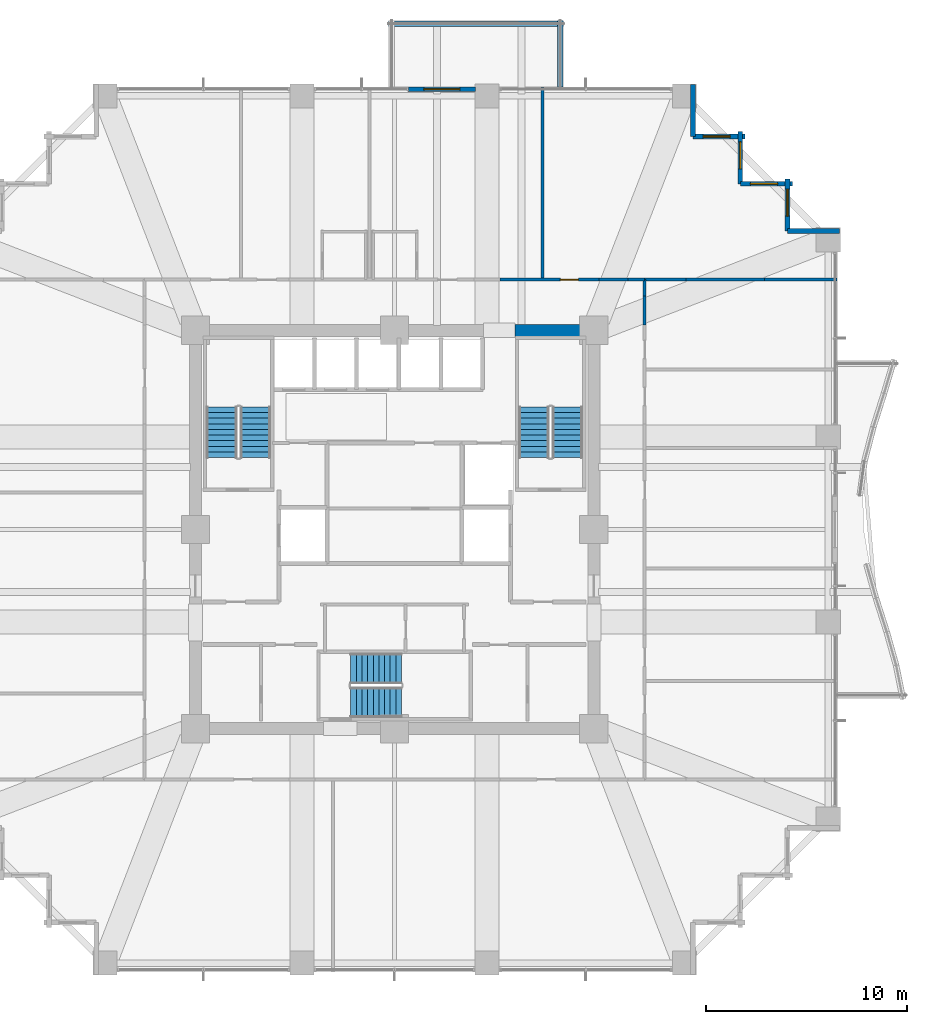
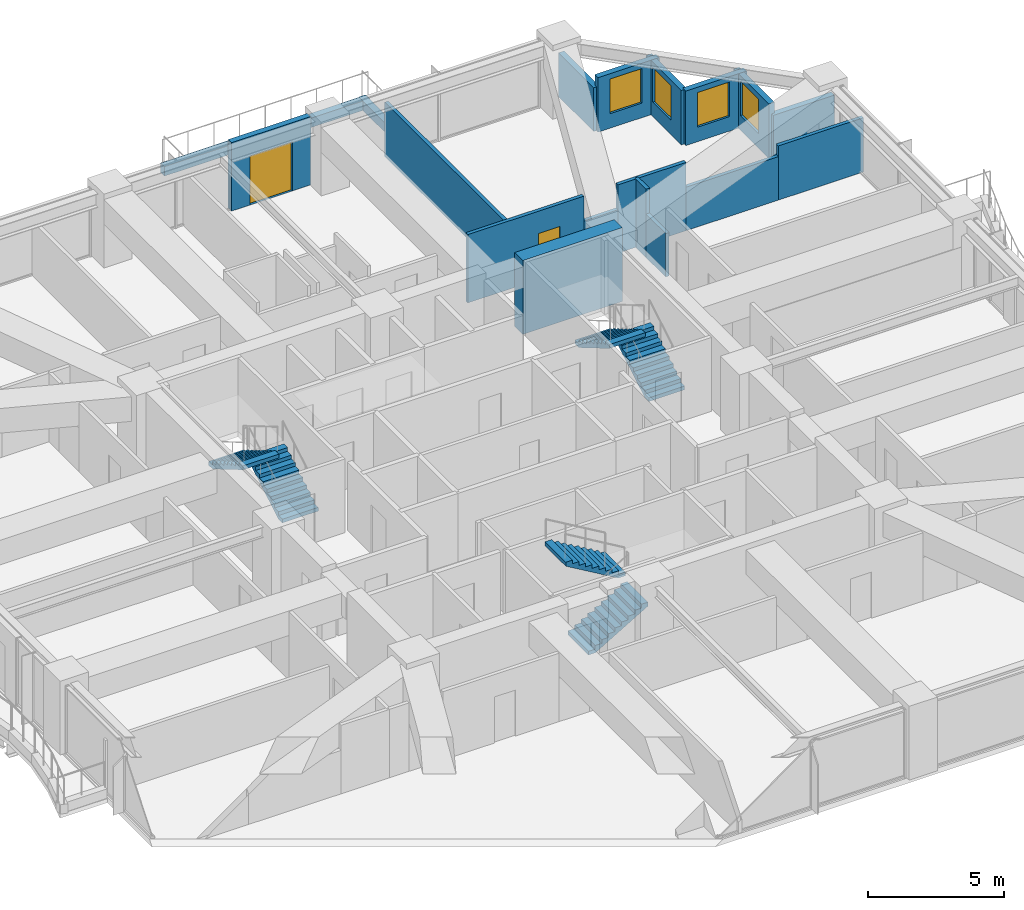
# One storey, part 36 of 39: 19 walls, 6 stair flights, 4 windows, 2 doors, 6 openings, 3 elements without a shape of their own.
"""IFC4 building model written with IfcOpenShell, lengths in metres."""

from ifc_helpers import new_model, si_unit, direction, frame, frame_2d, origin, place, context, subcontext, project, spatial, polyline, rectangle, outline, extrude, material, layer, layer_set, type_object, element, fill, aggregate, save


model = new_model("IFC4")

# Units and contexts
model_context = context("Model", 3, precision=1e-05, world=origin(), true_north=direction((0.0, 1.0)))
body_context = subcontext(model_context, "Body", "Model", "MODEL_VIEW")
ifc_project = project(units=[si_unit("LENGTHUNIT", "METRE"), si_unit("AREAUNIT", "SQUARE_METRE"), si_unit("VOLUMEUNIT", "CUBIC_METRE"), si_unit("PLANEANGLEUNIT", "RADIAN"), si_unit("MASSUNIT", "GRAM", prefix="KILO")], contexts=[model_context])

# Site, building, storey
site_placement = place(None, origin())
site = spatial("IfcSite", under=ifc_project, at=site_placement, CompositionType="ELEMENT")
building_placement = place(site_placement, origin())
building = spatial("IfcBuilding", under=site, at=building_placement, Name="Kolvaren Belvedere", CompositionType="ELEMENT")
storey_placement = place(building_placement, frame((0.0, 0.0, 33.699951171875)))
storey = spatial("IfcBuildingStorey", under=building, at=storey_placement, Name="L09", CompositionType="ELEMENT", Elevation=33.699951171875)

# Wall
ifc_material_1 = material(Name="Concrete C60/75", Category="concrete")
ifc_layer_1 = layer(ifc_material_1, 0.60009765625)
ifc_layer_set_1 = layer_set([ifc_layer_1], Name="Concrete C60/75")
wall_type_1 = type_object("IfcWallType", Name="CW-CORE-600", PredefinedType="SHEAR", material=ifc_layer_set_1)
wall_1_placement = place(storey_placement, frame((5.97998046875, 9.89990234375, 0.0), z_axis=(0.0, 0.0, 1.0), x_axis=(1.0, 0.0, 0.0)))
element("IfcWall", 1, at=wall_1_placement, inside=storey, type_object=wall_type_1, Name="L09 North Core Shear Wall 2", PredefinedType="SHEAR", context=body_context, shape_type="SweptSolid", body=[
    extrude(rectangle(XDim=4.219970703125, YDim=0.60009765625, at=frame_2d((2.10986328125, 0.0))), origin(), (0.0, 0.0, 1.0), 3.300048828125),
])

# Wall, opening, door
ifc_material_2 = material(Name="Gypsum fire-rated partition assembly", Category="gypsum")
ifc_layer_2 = layer(ifc_material_2, 0.14990234375)
ifc_layer_set_2 = layer_set([ifc_layer_2], Name="Gypsum fire-rated partition assembly")
wall_type_2 = type_object("IfcWallType", Name="WL-CORR-150", PredefinedType="PARTITIONING", material=ifc_layer_set_2)
wall_2_placement = place(storey_placement, frame((5.241943359375, 12.419921875, 0.0), z_axis=(0.0, 0.0, 1.0), x_axis=(1.0, 0.0, 0.0)))
wall_2 = element("IfcWall", 2, at=wall_2_placement, inside=storey, type_object=wall_type_2, Name="L09 North Corridor Wall", PredefinedType="PARTITIONING", context=body_context, shape_type="SweptSolid", body=[
    extrude(rectangle(XDim=4.911865234375, YDim=0.14990234375, at=frame_2d((2.4560546875, 0.0))), origin(), (0.0, 0.0, 1.0), 3.06005859375),
])
opening_1_placement = place(wall_2_placement, frame((2.994873046875, 0.0, 0.0)))
opening_1 = element("IfcOpeningElement", 3, at=opening_1_placement, cuts=wall_2, Name="Opening D-INT90", PredefinedType="OPENING", context=body_context, shape_type="SweptSolid", body=[
    extrude(rectangle(XDim=0.89990234375, YDim=2.06005859375, at=frame_2d((0.449951171875, 1.030029296875))), frame((0.0, 0.0849609375, 0.0), z_axis=(0.0, -1.0, 0.0), x_axis=(1.0, 0.0, 0.0)), (0.0, 0.0, 1.0), 0.169921875),
])
ifc_material_3 = material(Name="Stained Pacific white oak", Category="timber")
door_type_1 = type_object("IfcDoorType", Name="DR-INT-900", OperationType="NOTDEFINED", PredefinedType="DOOR", material=ifc_material_3)
door_1_placement = place(opening_1_placement, origin())
door_1 = element("IfcDoor", 4, at=door_1_placement, inside=storey, type_object=door_type_1, Name="L09 Lounge 914 Door", OperationType="SINGLE_SWING_RIGHT", OverallHeight=2.06005859375, OverallWidth=0.89990234375, PredefinedType="DOOR", context=body_context, shape_type="SweptSolid", body=[
    extrude(rectangle(XDim=0.89990234375, YDim=2.06005859375, at=frame_2d((0.449951171875, 1.030029296875))), frame((0.0, 0.02490234375, 0.0), z_axis=(0.0, -1.0, 0.0), x_axis=(1.0, 0.0, 0.0)), (0.0, 0.0, 1.0), 0.050048828125),
])
fill(opening_1, door_1)

# Walls
wall_3_placement = place(storey_placement, frame((10.15380859375, 12.419921875, 0.0), z_axis=(0.0, 0.0, 1.0), x_axis=(1.0, 0.0, 0.0)))
element("IfcWall", 5, at=wall_3_placement, inside=storey, type_object=wall_type_2, Name="L09 North Corridor Wall", PredefinedType="PARTITIONING", context=body_context, shape_type="SweptSolid", body=[
    extrude(rectangle(XDim=1.439208984375, YDim=0.14990234375, at=frame_2d((0.7197265625, 0.0))), origin(), (0.0, 0.0, 1.0), 1.945068359375),
])
wall_4_placement = place(storey_placement, frame((11.593017578125, 12.419921875, 0.0), z_axis=(0.0, 0.0, 1.0), x_axis=(1.0, 0.0, 0.0)))
element("IfcWall", 6, at=wall_4_placement, inside=storey, type_object=wall_type_2, Name="L09 North Corridor Wall", PredefinedType="PARTITIONING", context=body_context, shape_type="SweptSolid", body=[
    extrude(rectangle(XDim=0.826904296875, YDim=0.14990234375, at=frame_2d((0.41357421875, 0.0))), origin(), (0.0, 0.0, 1.0), 3.06005859375),
])
wall_5_placement = place(storey_placement, frame((12.419921875, 10.15380859375, 0.0), z_axis=(0.0, 0.0, 1.0), x_axis=(0.0, 1.0, 0.0)))
element("IfcWall", 7, at=wall_5_placement, inside=storey, type_object=wall_type_2, Name="L09 East Corridor Wall", PredefinedType="PARTITIONING", context=body_context, shape_type="SweptSolid", body=[
    extrude(rectangle(XDim=1.439208984375, YDim=0.14990234375, at=frame_2d((0.7197265625, 0.0))), origin(), (0.0, 0.0, 1.0), 1.945068359375),
])
wall_6_placement = place(storey_placement, frame((12.419921875, 11.593017578125, 0.0), z_axis=(0.0, 0.0, 1.0), x_axis=(0.0, 1.0, 0.0)))
element("IfcWall", 8, at=wall_6_placement, inside=storey, type_object=wall_type_2, Name="L09 East Corridor Wall", PredefinedType="PARTITIONING", context=body_context, shape_type="SweptSolid", body=[
    extrude(rectangle(XDim=0.826904296875, YDim=0.14990234375, at=frame_2d((0.41357421875, 0.0))), origin(), (0.0, 0.0, 1.0), 3.06005859375),
])
ifc_material_4 = material(Name="Insulated pale-metal facade wall assembly", Category="aluminium")
ifc_layer_3 = layer(ifc_material_4, 0.239990234375)
ifc_layer_set_3 = layer_set([ifc_layer_3], Name="Insulated pale-metal facade wall assembly")
wall_type_3 = type_object("IfcWallType", Name="WL-EXT-240", PredefinedType="STANDARD", material=ifc_layer_set_3)
wall_7_placement = place(storey_placement, frame((19.530029296875, 14.830078125, 0.0), z_axis=(0.0, 0.0, 1.0), x_axis=(1.0, 0.0, 0.0)))
element("IfcWall", 9, at=wall_7_placement, inside=storey, type_object=wall_type_3, Name="L09 Serrated Corner Facade Wall 9", PredefinedType="STANDARD", context=body_context, shape_type="SweptSolid", body=[
    extrude(rectangle(XDim=2.590087890625, YDim=0.239990234375, at=frame_2d((1.294921875, 0.0))), origin(), (0.0, 0.0, 1.0), 1.955078125),
])

# Wall, opening, window
wall_8_placement = place(storey_placement, frame((19.530029296875, 17.419921875, 0.0), z_axis=(0.0, 0.0, 1.0), x_axis=(0.0, -1.0, 0.0)))
wall_8 = element("IfcWall", 10, at=wall_8_placement, inside=storey, type_object=wall_type_3, Name="L09 Serrated Corner Facade Wall 10", PredefinedType="STANDARD", context=body_context, shape_type="SweptSolid", body=[
    extrude(rectangle(XDim=2.58984375, YDim=0.239990234375, at=frame_2d((1.294921875, 0.0))), origin(), (0.0, 0.0, 1.0), 2.43896484375),
])
opening_2_placement = place(wall_8_placement, frame((0.5, 0.0, 0.64990234375)))
opening_2 = element("IfcOpeningElement", 11, at=opening_2_placement, cuts=wall_8, Name="Opening W-1350", PredefinedType="OPENING", context=body_context, shape_type="SweptSolid", body=[
    extrude(rectangle(XDim=1.35009765625, YDim=1.550048828125, at=frame_2d((0.675048828125, 0.77490234375))), frame((0.0, 0.1298828125, 0.0), z_axis=(0.0, -1.0, 0.0), x_axis=(1.0, 0.0, 0.0)), (0.0, 0.0, 1.0), 0.260009765625),
])
ifc_material_5 = material(Name="Low-iron triple insulated glass", Category="glass")
window_type = type_object("IfcWindowType", Name="WN-CORN-1350", PartitioningType="SINGLE_PANEL", PredefinedType="WINDOW", material=ifc_material_5)
window_1_placement = place(opening_2_placement, origin())
window_1 = element("IfcWindow", 12, at=window_1_placement, inside=storey, type_object=window_type, Name="L09 Serrated Corner Vision Window 10", OverallHeight=1.550048828125, OverallWidth=1.35009765625, PartitioningType="SINGLE_PANEL", PredefinedType="WINDOW", context=body_context, shape_type="SweptSolid", body=[
    extrude(rectangle(XDim=1.35009765625, YDim=1.550048828125, at=frame_2d((0.675048828125, 0.77490234375))), frame((0.0, 0.030029296875, 0.0), z_axis=(0.0, -1.0, 0.0), x_axis=(1.0, 0.0, 0.0)), (0.0, 0.0, 1.0), 0.06005859375),
])
fill(opening_2, window_1)

wall_9_placement = place(storey_placement, frame((17.179931640625, 17.179931640625, 0.0), z_axis=(0.0, 0.0, 1.0), x_axis=(1.0, 0.0, 0.0)))
wall_9 = element("IfcWall", 13, at=wall_9_placement, inside=storey, type_object=wall_type_3, Name="L09 Serrated Corner Facade Wall 11", PredefinedType="STANDARD", context=body_context, shape_type="SweptSolid", body=[
    extrude(rectangle(XDim=2.590087890625, YDim=0.239990234375, at=frame_2d((1.294921875, 0.0))), origin(), (0.0, 0.0, 1.0), 2.43896484375),
])
opening_3_placement = place(wall_9_placement, frame((0.5, 0.0, 0.64990234375)))
opening_3 = element("IfcOpeningElement", 14, at=opening_3_placement, cuts=wall_9, Name="Opening W-1350", PredefinedType="OPENING", context=body_context, shape_type="SweptSolid", body=[
    extrude(rectangle(XDim=1.35009765625, YDim=1.550048828125, at=frame_2d((0.675048828125, 0.77490234375))), frame((0.0, 0.1298828125, 0.0), z_axis=(0.0, -1.0, 0.0), x_axis=(1.0, 0.0, 0.0)), (0.0, 0.0, 1.0), 0.260009765625),
])
window_2_placement = place(opening_3_placement, origin())
window_2 = element("IfcWindow", 15, at=window_2_placement, inside=storey, type_object=window_type, Name="L09 Serrated Corner Vision Window 11", OverallHeight=1.550048828125, OverallWidth=1.35009765625, PartitioningType="SINGLE_PANEL", PredefinedType="WINDOW", context=body_context, shape_type="SweptSolid", body=[
    extrude(rectangle(XDim=1.35009765625, YDim=1.550048828125, at=frame_2d((0.675048828125, 0.77490234375))), frame((0.0, 0.030029296875, 0.0), z_axis=(0.0, -1.0, 0.0), x_axis=(1.0, 0.0, 0.0)), (0.0, 0.0, 1.0), 0.06005859375),
])
fill(opening_3, window_2)

wall_10_placement = place(storey_placement, frame((17.179931640625, 19.77001953125, 0.0), z_axis=(0.0, 0.0, 1.0), x_axis=(0.0, -1.0, 0.0)))
wall_10 = element("IfcWall", 16, at=wall_10_placement, inside=storey, type_object=wall_type_3, Name="L09 Serrated Corner Facade Wall 12", PredefinedType="STANDARD", context=body_context, shape_type="SweptSolid", body=[
    extrude(rectangle(XDim=2.590087890625, YDim=0.239990234375, at=frame_2d((1.294921875, 0.0))), origin(), (0.0, 0.0, 1.0), 2.43896484375),
])
opening_4_placement = place(wall_10_placement, frame((0.5, 0.0, 0.64990234375)))
opening_4 = element("IfcOpeningElement", 17, at=opening_4_placement, cuts=wall_10, Name="Opening W-1350", PredefinedType="OPENING", context=body_context, shape_type="SweptSolid", body=[
    extrude(rectangle(XDim=1.35009765625, YDim=1.550048828125, at=frame_2d((0.675048828125, 0.77490234375))), frame((0.0, 0.1298828125, 0.0), z_axis=(0.0, -1.0, 0.0), x_axis=(1.0, 0.0, 0.0)), (0.0, 0.0, 1.0), 0.260009765625),
])
window_3_placement = place(opening_4_placement, origin())
window_3 = element("IfcWindow", 18, at=window_3_placement, inside=storey, type_object=window_type, Name="L09 Serrated Corner Vision Window 12", OverallHeight=1.550048828125, OverallWidth=1.35009765625, PartitioningType="SINGLE_PANEL", PredefinedType="WINDOW", context=body_context, shape_type="SweptSolid", body=[
    extrude(rectangle(XDim=1.35009765625, YDim=1.550048828125, at=frame_2d((0.675048828125, 0.77490234375))), frame((0.0, 0.030029296875, 0.0), z_axis=(0.0, -1.0, 0.0), x_axis=(1.0, 0.0, 0.0)), (0.0, 0.0, 1.0), 0.06005859375),
])
fill(opening_4, window_3)

wall_11_placement = place(storey_placement, frame((14.830078125, 19.530029296875, 0.0), z_axis=(0.0, 0.0, 1.0), x_axis=(1.0, 0.0, 0.0)))
wall_11 = element("IfcWall", 19, at=wall_11_placement, inside=storey, type_object=wall_type_3, Name="L09 Serrated Corner Facade Wall 13", PredefinedType="STANDARD", context=body_context, shape_type="SweptSolid", body=[
    extrude(rectangle(XDim=2.58984375, YDim=0.239990234375, at=frame_2d((1.294921875, 0.0))), origin(), (0.0, 0.0, 1.0), 2.43896484375),
])
opening_5_placement = place(wall_11_placement, frame((0.5, 0.0, 0.64990234375)))
opening_5 = element("IfcOpeningElement", 20, at=opening_5_placement, cuts=wall_11, Name="Opening W-1350", PredefinedType="OPENING", context=body_context, shape_type="SweptSolid", body=[
    extrude(rectangle(XDim=1.35009765625, YDim=1.550048828125, at=frame_2d((0.675048828125, 0.77490234375))), frame((0.0, 0.1298828125, 0.0), z_axis=(0.0, -1.0, 0.0), x_axis=(1.0, 0.0, 0.0)), (0.0, 0.0, 1.0), 0.260009765625),
])
window_4_placement = place(opening_5_placement, origin())
window_4 = element("IfcWindow", 21, at=window_4_placement, inside=storey, type_object=window_type, Name="L09 Serrated Corner Vision Window 13", OverallHeight=1.550048828125, OverallWidth=1.35009765625, PartitioningType="SINGLE_PANEL", PredefinedType="WINDOW", context=body_context, shape_type="SweptSolid", body=[
    extrude(rectangle(XDim=1.35009765625, YDim=1.550048828125, at=frame_2d((0.675048828125, 0.77490234375))), frame((0.0, 0.030029296875, 0.0), z_axis=(0.0, -1.0, 0.0), x_axis=(1.0, 0.0, 0.0)), (0.0, 0.0, 1.0), 0.06005859375),
])
fill(opening_5, window_4)

# Wall
wall_12_placement = place(storey_placement, frame((14.830078125, 22.1201171875, 0.0), z_axis=(0.0, 0.0, 1.0), x_axis=(0.0, -1.0, 0.0)))
element("IfcWall", 22, at=wall_12_placement, inside=storey, type_object=wall_type_3, Name="L09 Serrated Corner Facade Wall 14", PredefinedType="STANDARD", context=body_context, shape_type="SweptSolid", body=[
    extrude(rectangle(XDim=2.590087890625, YDim=0.239990234375, at=frame_2d((1.294921875, 0.0))), origin(), (0.0, 0.0, 1.0), 1.955078125),
])

# Wall, opening, door
wall_13_placement = place(storey_placement, frame((0.669921875, 21.8798828125, 0.0), z_axis=(0.0, 0.0, 1.0), x_axis=(1.0, 0.0, 0.0)))
wall_13 = element("IfcWall", 23, at=wall_13_placement, inside=storey, type_object=wall_type_3, Name="L09 North Terrace Portal Wall", PredefinedType="STANDARD", context=body_context, shape_type="SweptSolid", body=[
    extrude(rectangle(XDim=3.360107421875, YDim=0.239990234375, at=frame_2d((1.68017578125, 0.0))), origin(), (0.0, 0.0, 1.0), 3.06005859375),
])
opening_6_placement = place(wall_13_placement, frame((0.780029296875, 0.0, 0.0)))
opening_6 = element("IfcOpeningElement", 24, at=opening_6_placement, cuts=wall_13, Name="Opening DB-1800", PredefinedType="OPENING", context=body_context, shape_type="SweptSolid", body=[
    extrude(rectangle(XDim=1.800048828125, YDim=2.199951171875, at=frame_2d((0.89990234375, 1.10009765625))), frame((0.0, 0.1298828125, 0.0), z_axis=(0.0, -1.0, 0.0), x_axis=(1.0, 0.0, 0.0)), (0.0, 0.0, 1.0), 0.260009765625),
])
ifc_material_6 = material(Name="Thermally broken pale-metal aluminium & low-iron glass", Category="aluminium")
door_type_2 = type_object("IfcDoorType", Name="DR-BAL-1800", OperationType="DOUBLE_DOOR_SLIDING", PredefinedType="DOOR", material=ifc_material_6)
door_2_placement = place(opening_6_placement, origin())
door_2 = element("IfcDoor", 25, at=door_2_placement, inside=storey, type_object=door_type_2, Name="L09 North Planted Terrace Sliding Door", OperationType="DOUBLE_DOOR_SLIDING", OverallHeight=2.199951171875, OverallWidth=1.800048828125, PredefinedType="DOOR", context=body_context, shape_type="SweptSolid", body=[
    extrude(rectangle(XDim=1.800048828125, YDim=2.199951171875, at=frame_2d((0.89990234375, 1.10009765625))), frame((0.0, 0.02490234375, 0.0), z_axis=(0.0, -1.0, 0.0), x_axis=(1.0, 0.0, 0.0)), (0.0, 0.0, 1.0), 0.050048828125),
])
fill(opening_6, door_2)

# Walls
ifc_material_7 = material(Name="Gypsum acoustic partition assembly", Category="gypsum")
ifc_layer_4 = layer(ifc_material_7, 0.14990234375)
ifc_layer_set_4 = layer_set([ifc_layer_4], Name="Gypsum acoustic partition assembly")
wall_type_4 = type_object("IfcWallType", Name="WL-PART-150", PredefinedType="PARTITIONING", material=ifc_layer_set_4)
wall_14_placement = place(storey_placement, frame((12.419921875, 12.419921875, 0.0), z_axis=(0.0, 0.0, 1.0), x_axis=(1.0, 0.0, 0.0)))
element("IfcWall", 26, at=wall_14_placement, inside=storey, type_object=wall_type_4, Name="L09 Wing Divider PW-L09-QNE", PredefinedType="PARTITIONING", context=body_context, shape_type="SweptSolid", body=[
    extrude(rectangle(XDim=2.05029296875, YDim=0.14990234375, at=frame_2d((1.025146484375, 0.0))), origin(), (0.0, 0.0, 1.0), 3.06005859375),
])
wall_15_placement = place(storey_placement, frame((14.47021484375, 12.419921875, 0.0), z_axis=(0.0, 0.0, 1.0), x_axis=(1.0, 0.0, 0.0)))
element("IfcWall", 27, at=wall_15_placement, inside=storey, type_object=wall_type_4, Name="L09 Wing Divider PW-L09-QNE", PredefinedType="PARTITIONING", context=body_context, shape_type="SweptSolid", body=[
    extrude(rectangle(XDim=3.907470703125, YDim=0.14990234375, at=frame_2d((1.95361328125, 0.0))), origin(), (0.0, 0.0, 1.0), 1.945068359375),
])
wall_16_placement = place(storey_placement, frame((18.377685546875, 12.419921875, 0.0), z_axis=(0.0, 0.0, 1.0), x_axis=(1.0, 0.0, 0.0)))
element("IfcWall", 28, at=wall_16_placement, inside=storey, type_object=wall_type_4, Name="L09 Wing Divider PW-L09-QNE", PredefinedType="PARTITIONING", context=body_context, shape_type="SweptSolid", body=[
    extrude(rectangle(XDim=3.602294921875, YDim=0.14990234375, at=frame_2d((1.80126953125, 0.0))), origin(), (0.0, 0.0, 1.0), 2.428955078125),
])
wall_17_placement = place(storey_placement, frame((7.35595703125, 12.419921875, 0.0), z_axis=(0.0, 0.0, 1.0), x_axis=(0.0, 1.0, 0.0)))
element("IfcWall", 29, at=wall_17_placement, inside=storey, type_object=wall_type_4, Name="L09 North Suite Demising Wall 3", PredefinedType="PARTITIONING", context=body_context, shape_type="SweptSolid", body=[
    extrude(rectangle(XDim=9.56005859375, YDim=0.14990234375, at=frame_2d((4.780029296875, 0.0))), origin(), (0.0, 0.0, 1.0), 2.428955078125),
])
ifc_material_8 = material(Name="Precast concrete C40/50", Category="concrete")
ifc_layer_5 = layer(ifc_material_8, 0.300048828125)
ifc_layer_set_5 = layer_set([ifc_layer_5], Name="Precast concrete C40/50")
wall_type_5 = type_object("IfcWallType", Name="WL-PLANTER-300", PredefinedType="PARAPET", material=ifc_layer_set_5)
wall_18_placement = place(storey_placement, frame((8.239990234375, 22.0, -0.06005859375), z_axis=(0.0, 0.0, 1.0), x_axis=(0.0, 1.0, 0.0)))
element("IfcWall", 30, at=wall_18_placement, inside=storey, type_object=wall_type_5, Name="L09 Precast Structural Planter Wall SPIRAL-01-N-2", PredefinedType="PARAPET", context=body_context, shape_type="SweptSolid", body=[
    extrude(rectangle(XDim=3.300048828125, YDim=0.280029296875, at=frame_2d((1.64990234375, 0.0))), origin(), (0.0, 0.0, 1.0), 0.420166015625),
])
wall_19_placement = place(storey_placement, frame((8.39990234375, 25.139892578125, -0.06005859375), z_axis=(0.0, 0.0, 1.0), x_axis=(-1.0, 0.0, 0.0)))
element("IfcWall", 31, at=wall_19_placement, inside=storey, type_object=wall_type_5, Name="L09 Precast Structural Planter Wall SPIRAL-01-N-3", PredefinedType="PARAPET", context=body_context, shape_type="SweptSolid", body=[
    extrude(rectangle(XDim=8.699951171875, YDim=0.280029296875, at=frame_2d((4.35009765625, 0.0))), origin(), (0.0, 0.0, 1.0), 0.420166015625),
])

# Stair, stair flights
ifc_material_9 = material(Name="Concrete C50/60", Category="concrete")
stair_type = type_object("IfcStairType", Name="ST-CORE-1520", PredefinedType="HALF_TURN_STAIR", material=ifc_material_9)
stair_1_placement = place(storey_placement, origin())
stair_1 = element("IfcStair", 32, at=stair_1_placement, inside=storey, type_object=stair_type, Name="L09 Protected Exit Stair ST-1", PredefinedType="HALF_TURN_STAIR")
ifc_material_10 = material(Name="Concrete C50/60", Category="concrete")
stair_flight_type = type_object("IfcStairFlightType", Name="SF-STR-1520", PredefinedType="STRAIGHT", material=ifc_material_10)
stair_flight_1_placement = place(storey_placement, frame((-6.919921875, 3.570068359375, 0.0), z_axis=(0.0, 0.0, 1.0), x_axis=(0.0, 1.0, 0.0)))
stair_flight_1 = element("IfcStairFlight", 33, at=stair_flight_1_placement, type_object=stair_flight_type, Name="ST-1 flight 1", NumberOfRisers=10, NumberOfTreads=9, PredefinedType="STRAIGHT", RiserHeight=0.165, TreadLength=0.28, context=body_context, shape_type="SweptSolid", body=[
    extrude(outline(polyline([(0.0, 0.0), (0.0, 0.1650390625), (0.280029296875, 0.1650390625), (0.280029296875, 0.330078125), (0.56005859375, 0.330078125), (0.56005859375, 0.4951171875), (0.840087890625, 0.4951171875), (0.840087890625, 0.659912109375), (1.1201171875, 0.659912109375), (1.1201171875, 0.824951171875), (1.39990234375, 0.824951171875), (1.39990234375, 0.989990234375), (1.679931640625, 0.989990234375), (1.679931640625, 1.155029296875), (1.9599609375, 1.155029296875), (1.9599609375, 1.320068359375), (2.239990234375, 1.320068359375), (2.239990234375, 1.485107421875), (2.52001953125, 1.485107421875), (2.52001953125, 1.64990234375), (2.52001953125, 1.31103515625), (0.295166015625, 0.0), (0.0, 0.0)])), frame((0.0, 0.760009765625, 0.0), z_axis=(0.0, -1.0, 0.0), x_axis=(1.0, 0.0, 0.0)), (0.0, 0.0, 1.0), 1.52001953125),
])
stair_flight_2_placement = place(storey_placement, frame((-8.590087890625, 6.090087890625, 1.650146484375), z_axis=(0.0, 0.0, 1.0), x_axis=(0.0, -1.0, 0.0)))
stair_flight_2 = element("IfcStairFlight", 34, at=stair_flight_2_placement, type_object=stair_flight_type, Name="ST-1 flight 2", NumberOfRisers=10, NumberOfTreads=9, PredefinedType="STRAIGHT", RiserHeight=0.165, TreadLength=0.28, context=body_context, shape_type="SweptSolid", body=[
    extrude(outline(polyline([(0.0, 0.0), (0.0, 0.1650390625), (0.280029296875, 0.1650390625), (0.280029296875, 0.330078125), (0.56005859375, 0.330078125), (0.56005859375, 0.4951171875), (0.840087890625, 0.4951171875), (0.840087890625, 0.659912109375), (1.1201171875, 0.659912109375), (1.1201171875, 0.824951171875), (1.39990234375, 0.824951171875), (1.39990234375, 0.989990234375), (1.679931640625, 0.989990234375), (1.679931640625, 1.155029296875), (1.9599609375, 1.155029296875), (1.9599609375, 1.320068359375), (2.239990234375, 1.320068359375), (2.239990234375, 1.485107421875), (2.52001953125, 1.485107421875), (2.52001953125, 1.64990234375), (2.52001953125, 1.31103515625), (0.295166015625, 0.0), (0.0, 0.0)])), frame((0.0, 0.760009765625, 0.0), z_axis=(0.0, -1.0, 0.0), x_axis=(1.0, 0.0, 0.0)), (0.0, 0.0, 1.0), 1.52001953125),
])
aggregate(stair_1, [stair_flight_1, stair_flight_2])

stair_2_placement = place(storey_placement, origin())
stair_2 = element("IfcStair", 35, at=stair_2_placement, inside=storey, type_object=stair_type, Name="L09 Protected Exit Stair ST-2", PredefinedType="HALF_TURN_STAIR")
stair_flight_3_placement = place(storey_placement, frame((8.590087890625, 3.570068359375, 0.0), z_axis=(0.0, 0.0, 1.0), x_axis=(0.0, 1.0, 0.0)))
stair_flight_3 = element("IfcStairFlight", 36, at=stair_flight_3_placement, type_object=stair_flight_type, Name="ST-2 flight 1", NumberOfRisers=10, NumberOfTreads=9, PredefinedType="STRAIGHT", RiserHeight=0.165, TreadLength=0.28, context=body_context, shape_type="SweptSolid", body=[
    extrude(outline(polyline([(0.0, 0.0), (0.0, 0.1650390625), (0.280029296875, 0.1650390625), (0.280029296875, 0.330078125), (0.56005859375, 0.330078125), (0.56005859375, 0.4951171875), (0.840087890625, 0.4951171875), (0.840087890625, 0.659912109375), (1.1201171875, 0.659912109375), (1.1201171875, 0.824951171875), (1.39990234375, 0.824951171875), (1.39990234375, 0.989990234375), (1.679931640625, 0.989990234375), (1.679931640625, 1.155029296875), (1.9599609375, 1.155029296875), (1.9599609375, 1.320068359375), (2.239990234375, 1.320068359375), (2.239990234375, 1.485107421875), (2.52001953125, 1.485107421875), (2.52001953125, 1.64990234375), (2.52001953125, 1.31103515625), (0.295166015625, 0.0), (0.0, 0.0)])), frame((0.0, 0.760009765625, 0.0), z_axis=(0.0, -1.0, 0.0), x_axis=(1.0, 0.0, 0.0)), (0.0, 0.0, 1.0), 1.52001953125),
])
stair_flight_4_placement = place(storey_placement, frame((6.919921875, 6.090087890625, 1.650146484375), z_axis=(0.0, 0.0, 1.0), x_axis=(0.0, -1.0, 0.0)))
stair_flight_4 = element("IfcStairFlight", 37, at=stair_flight_4_placement, type_object=stair_flight_type, Name="ST-2 flight 2", NumberOfRisers=10, NumberOfTreads=9, PredefinedType="STRAIGHT", RiserHeight=0.165, TreadLength=0.28, context=body_context, shape_type="SweptSolid", body=[
    extrude(outline(polyline([(0.0, 0.0), (0.0, 0.1650390625), (0.280029296875, 0.1650390625), (0.280029296875, 0.330078125), (0.56005859375, 0.330078125), (0.56005859375, 0.4951171875), (0.840087890625, 0.4951171875), (0.840087890625, 0.659912109375), (1.1201171875, 0.659912109375), (1.1201171875, 0.824951171875), (1.39990234375, 0.824951171875), (1.39990234375, 0.989990234375), (1.679931640625, 0.989990234375), (1.679931640625, 1.155029296875), (1.9599609375, 1.155029296875), (1.9599609375, 1.320068359375), (2.239990234375, 1.320068359375), (2.239990234375, 1.485107421875), (2.52001953125, 1.485107421875), (2.52001953125, 1.64990234375), (2.52001953125, 1.31103515625), (0.295166015625, 0.0), (0.0, 0.0)])), frame((0.0, 0.760009765625, 0.0), z_axis=(0.0, -1.0, 0.0), x_axis=(1.0, 0.0, 0.0)), (0.0, 0.0, 1.0), 1.52001953125),
])
aggregate(stair_2, [stair_flight_3, stair_flight_4])

stair_3_placement = place(storey_placement, origin())
stair_3 = element("IfcStair", 38, at=stair_3_placement, inside=storey, type_object=stair_type, Name="L09 Protected Exit Stair ST-3", PredefinedType="HALF_TURN_STAIR")
stair_flight_5_placement = place(storey_placement, frame((-2.179931640625, -8.590087890625, 0.0), z_axis=(0.0, 0.0, 1.0), x_axis=(1.0, 0.0, 0.0)))
stair_flight_5 = element("IfcStairFlight", 39, at=stair_flight_5_placement, type_object=stair_flight_type, Name="ST-3 flight 1", NumberOfRisers=10, NumberOfTreads=9, PredefinedType="STRAIGHT", RiserHeight=0.165, TreadLength=0.28, context=body_context, shape_type="SweptSolid", body=[
    extrude(outline(polyline([(0.0, 0.0), (0.0, 0.1650390625), (0.280029296875, 0.1650390625), (0.280029296875, 0.330078125), (0.56005859375, 0.330078125), (0.56005859375, 0.4951171875), (0.840087890625, 0.4951171875), (0.840087890625, 0.659912109375), (1.1201171875, 0.659912109375), (1.1201171875, 0.824951171875), (1.39990234375, 0.824951171875), (1.39990234375, 0.989990234375), (1.679931640625, 0.989990234375), (1.679931640625, 1.155029296875), (1.9599609375, 1.155029296875), (1.9599609375, 1.320068359375), (2.239990234375, 1.320068359375), (2.239990234375, 1.485107421875), (2.52001953125, 1.485107421875), (2.52001953125, 1.64990234375), (2.52001953125, 1.31103515625), (0.295166015625, 0.0), (0.0, 0.0)])), frame((0.0, 0.760009765625, 0.0), z_axis=(0.0, -1.0, 0.0), x_axis=(1.0, 0.0, 0.0)), (0.0, 0.0, 1.0), 1.52001953125),
])
stair_flight_6_placement = place(storey_placement, frame((0.340087890625, -6.919921875, 1.650146484375), z_axis=(0.0, 0.0, 1.0), x_axis=(-1.0, 0.0, 0.0)))
stair_flight_6 = element("IfcStairFlight", 40, at=stair_flight_6_placement, type_object=stair_flight_type, Name="ST-3 flight 2", NumberOfRisers=10, NumberOfTreads=9, PredefinedType="STRAIGHT", RiserHeight=0.165, TreadLength=0.28, context=body_context, shape_type="SweptSolid", body=[
    extrude(outline(polyline([(0.0, 0.0), (0.0, 0.1650390625), (0.280029296875, 0.1650390625), (0.280029296875, 0.330078125), (0.56005859375, 0.330078125), (0.56005859375, 0.4951171875), (0.840087890625, 0.4951171875), (0.840087890625, 0.659912109375), (1.1201171875, 0.659912109375), (1.1201171875, 0.824951171875), (1.39990234375, 0.824951171875), (1.39990234375, 0.989990234375), (1.679931640625, 0.989990234375), (1.679931640625, 1.155029296875), (1.9599609375, 1.155029296875), (1.9599609375, 1.320068359375), (2.239990234375, 1.320068359375), (2.239990234375, 1.485107421875), (2.52001953125, 1.485107421875), (2.52001953125, 1.64990234375), (2.52001953125, 1.31103515625), (0.295166015625, 0.0), (0.0, 0.0)])), frame((0.0, 0.760009765625, 0.0), z_axis=(0.0, -1.0, 0.0), x_axis=(1.0, 0.0, 0.0)), (0.0, 0.0, 1.0), 1.52001953125),
])
aggregate(stair_3, [stair_flight_5, stair_flight_6])

save(model, "model.ifc")
